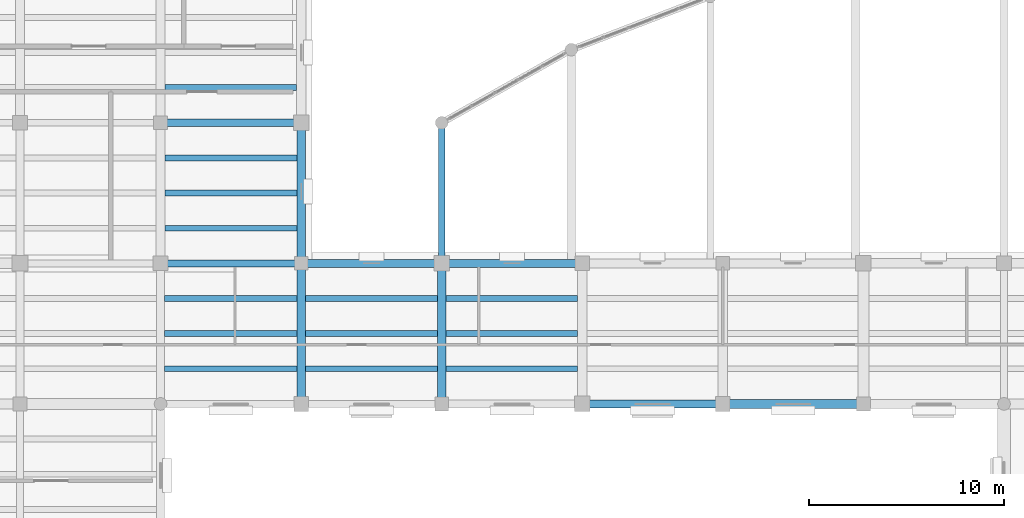
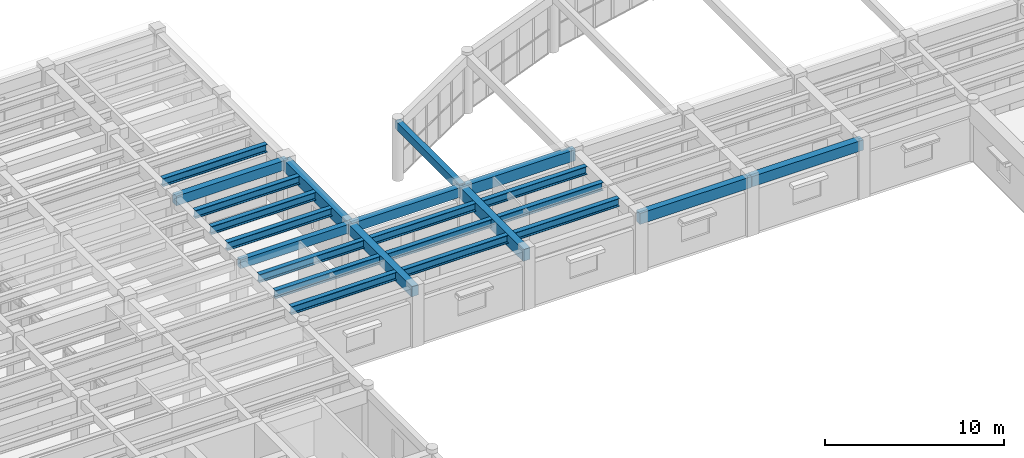
# One storey, part 15 of 76: 22 beams, 1 member.
"""IFC4 building model written with IfcOpenShell, lengths in metres."""

import ifcopenshell
import ifcopenshell.guid

model = None  # the IFC model being written
_history = None  # IfcOwnerHistory: only IFC2X3 demands one
_inside = {}  # id of a spatial element -> (the spatial element, [elements in it])
_under = {}  # id of a project, library or spatial element -> (it, [spatial elements below it])
_declared = {}  # id of a project -> (the project, [libraries it declares])
_typed = {}  # id of a type object -> (the type object, [elements of that type])
_made_of = {}  # id of a material, layer set ... -> (it, [elements and type objects made of it])


def new_model(schema):
    """Start an empty IFC model of exactly this schema.

    Asked for "IFC4X3", IfcOpenShell would pick the latest addendum, in which some entities
    have other attributes; the version numbers below select the first issue.
    IFC2X3 requires an IfcOwnerHistory on every rooted entity: one is made here for all.
    """
    global model, _history
    if schema == "IFC4X3":
        model = ifcopenshell.file(schema_version=(4, 3, 0, 0))
    else:
        model = ifcopenshell.file(schema=schema)
    _inside.clear()
    _under.clear()
    _declared.clear()
    _typed.clear()
    _made_of.clear()
    _history = None
    if model.schema == "IFC2X3":
        org = make("IfcOrganization", Name="unknown")
        user = make(
            "IfcPersonAndOrganization",
            ThePerson=make("IfcPerson", FamilyName="unknown"),
            TheOrganization=org,
        )
        app = make(
            "IfcApplication",
            ApplicationDeveloper=org,
            Version="unknown",
            ApplicationFullName="unknown",
            ApplicationIdentifier="unknown",
        )
        _history = make(
            "IfcOwnerHistory",
            OwningUser=user,
            OwningApplication=app,
            ChangeAction="ADDED",
            CreationDate=0,
        )
    return model


def make(cls, **values):
    """One entity of the class cls with the attributes given. An attribute that is None is left unset."""
    return model.create_entity(
        cls, **{name: value for name, value in values.items() if value is not None}
    )


def rooted(cls, **values):
    """An entity with a GlobalId (a new one), such as an element, a storey or a relation."""
    return make(cls, GlobalId=ifcopenshell.guid.new(), OwnerHistory=_history, **values)


def si_unit(unit_type, name, prefix=None):
    """IfcSIUnit, for example si_unit("LENGTHUNIT", "METRE", prefix="MILLI")."""
    return make("IfcSIUnit", UnitType=unit_type, Prefix=prefix, Name=name)


def assignment(units):
    """IfcUnitAssignment: the units of a project."""
    return None if units is None else make("IfcUnitAssignment", Units=units)


def point(xyz):
    """IfcCartesianPoint."""
    return None if xyz is None else make("IfcCartesianPoint", Coordinates=xyz)


def direction(xyz):
    """IfcDirection."""
    return None if xyz is None else make("IfcDirection", DirectionRatios=xyz)


def frame(location, z_axis=None, x_axis=None):
    """IfcAxis2Placement3D, a coordinate frame: its origin and axes. An axis left out is left unset."""
    return make(
        "IfcAxis2Placement3D",
        Location=point(location),
        Axis=direction(z_axis),
        RefDirection=direction(x_axis),
    )


def frame_2d(location, x_axis=None):
    """IfcAxis2Placement2D, a coordinate frame in the plane: its origin and x axis."""
    return make(
        "IfcAxis2Placement2D", Location=point(location), RefDirection=direction(x_axis)
    )


def origin():
    """The frame at (0, 0, 0) with its axes left unset."""
    return frame((0.0, 0.0, 0.0))


def origin_2d():
    """The frame at (0, 0) in the plane with its x axis left unset."""
    return frame_2d((0.0, 0.0))


def place(relative_to, where):
    """IfcLocalPlacement: puts the frame where relative to a parent placement (None: the world)."""
    return make(
        "IfcLocalPlacement", PlacementRelTo=relative_to, RelativePlacement=where
    )


def context(
    kind, dimensions, precision=None, world=None, true_north=None, identifier=None
):
    """IfcGeometricRepresentationContext, for example the 3D "Model" context."""
    return make(
        "IfcGeometricRepresentationContext",
        ContextIdentifier=identifier,
        ContextType=kind,
        CoordinateSpaceDimension=dimensions,
        Precision=precision,
        WorldCoordinateSystem=world,
        TrueNorth=true_north,
    )


def subcontext(parent, identifier, kind, view, scale=None):
    """IfcGeometricRepresentationSubContext, for example "Body" below "Model"."""
    return make(
        "IfcGeometricRepresentationSubContext",
        ContextIdentifier=identifier,
        ContextType=kind,
        ParentContext=parent,
        TargetScale=scale,
        TargetView=view,
    )


def project(units=None, contexts=None):
    """IfcProject with its units and contexts."""
    return rooted(
        "IfcProject",
        Name="project",
        RepresentationContexts=contexts,
        UnitsInContext=assignment(units),
    )


def spatial(cls, under=None, at=None, **own):
    """A site, building, storey or space (cls), placed at a placement, below another one or the project."""
    s = rooted(cls, ObjectPlacement=at, **own)
    if under is not None:
        _under.setdefault(under.id(), (under, []))[1].append(s)
    return s


def profile(cls, at=None, kind="AREA", **sizes):
    """A parametric profile (cls). Its sizes go by their IFC names, for example OverallWidth=200.0."""
    return make(cls, ProfileType=kind, Position=at, **sizes)


def rectangle(**sizes):
    """IfcRectangleProfileDef."""
    return profile("IfcRectangleProfileDef", **sizes)


def i_section(**sizes):
    """IfcIShapeProfileDef."""
    return profile("IfcIShapeProfileDef", **sizes)


def extrude(swept, where, along, depth):
    """IfcExtrudedAreaSolid: the profile swept, set in the frame where, extruded along a direction by depth."""
    return make(
        "IfcExtrudedAreaSolid",
        SweptArea=swept,
        Position=where,
        ExtrudedDirection=direction(along),
        Depth=depth,
    )


def shape(context_of_items, identifier, shape_type, items):
    """IfcShapeRepresentation: the items that make up one representation, for example the "Body"."""
    return make(
        "IfcShapeRepresentation",
        ContextOfItems=context_of_items,
        RepresentationIdentifier=identifier,
        RepresentationType=shape_type,
        Items=items,
    )


def material(Name=None, Category=None):
    """IfcMaterial."""
    return make("IfcMaterial", Name=Name, Category=Category)


def material_profile(
    of_material, cross_section, Name=None, Category=None, Priority=None
):
    """IfcMaterialProfile: a cross section and its material."""
    return make(
        "IfcMaterialProfile",
        Name=Name,
        Material=of_material,
        Profile=cross_section,
        Priority=Priority,
        Category=Category,
    )


def profile_set(profiles, Name=None, composite=None):
    """IfcMaterialProfileSet."""
    return make(
        "IfcMaterialProfileSet",
        Name=Name,
        MaterialProfiles=profiles,
        CompositeProfile=composite,
    )


def made_of(thing, what):
    """Note that an element or type object is made of a material, layer set ...; save() writes the relation."""
    if what is not None:
        _made_of.setdefault(what.id(), (what, []))[1].append(thing)
    return thing


def type_object(cls, material=None, **own):
    """A type object (cls), such as IfcWallType, which elements share."""
    return made_of(rooted(cls, **own), material)


def element(
    cls,
    number,
    at=None,
    inside=None,
    cuts=None,
    type_object=None,
    material=None,
    context=None,
    identifier="Body",
    shape_type=None,
    held_by="IfcProductDefinitionShape",
    body=None,
    shapes=None,
    **own,
):
    """One element of the class cls, such as IfcWall. Its Tag is "e" and its number.

    at: its placement. inside: the storey or other place that contains it. cuts: it is an
    opening in that element (IfcRelVoidsElement). A single representation is given by context,
    identifier, shape_type and body (its items); several are given by shapes. held_by: the class
    of the entity that holds the representations. save() writes the other relations.
    """
    e = rooted(cls, Tag="e%d" % number, ObjectPlacement=at, **own)
    if body is not None:
        shapes = [shape(context, identifier, shape_type, body)]
    if shapes is not None:
        e.Representation = make(held_by, Representations=shapes)
    if inside is not None:
        _inside.setdefault(inside.id(), (inside, []))[1].append(e)
    if cuts is not None:
        rooted(
            "IfcRelVoidsElement", RelatingBuildingElement=cuts, RelatedOpeningElement=e
        )
    if type_object is not None:
        _typed.setdefault(type_object.id(), (type_object, []))[1].append(e)
    return made_of(e, material)


def aggregate(whole, parts):
    """IfcRelAggregates: a whole, such as a stair, and the parts it consists of."""
    return rooted("IfcRelAggregates", RelatingObject=whole, RelatedObjects=parts)


def save(model, path):
    """Write the relations noted so far, then the file.

    IfcRelAggregates (storeys below a building ...), IfcRelContainedInSpatialStructure (elements
    in a storey), IfcRelDefinesByType, IfcRelAssociatesMaterial and IfcRelDeclares: one each for
    every whole, place, type object, material and project.
    """
    for whole, parts in _under.values():
        aggregate(whole, parts)
    for where, things in _inside.values():
        rooted(
            "IfcRelContainedInSpatialStructure",
            RelatedElements=things,
            RelatingStructure=where,
        )
    for kind, things in _typed.values():
        rooted("IfcRelDefinesByType", RelatedObjects=things, RelatingType=kind)
    for what, things in _made_of.values():
        rooted("IfcRelAssociatesMaterial", RelatedObjects=things, RelatingMaterial=what)
    for by, libraries in _declared.values():
        rooted("IfcRelDeclares", RelatingContext=by, RelatedDefinitions=libraries)
    model.write(path)


model = new_model("IFC4")

# Units and contexts
model_context = context("Model", 3, precision=1e-05, world=origin(), true_north=direction((0.0, 1.0)))
body_context = subcontext(model_context, "Body", "Model", "MODEL_VIEW")
ifc_project = project(units=[si_unit("LENGTHUNIT", "METRE"), si_unit("AREAUNIT", "SQUARE_METRE"), si_unit("VOLUMEUNIT", "CUBIC_METRE"), si_unit("PLANEANGLEUNIT", "RADIAN"), si_unit("MASSUNIT", "GRAM", prefix="KILO")], contexts=[model_context])

# Site, building, storey
site_placement = place(None, origin())
site = spatial("IfcSite", under=ifc_project, at=site_placement, CompositionType="ELEMENT")
building_placement = place(site_placement, origin())
building = spatial("IfcBuilding", under=site, at=building_placement, Name="Mithqara Police Headquarters", CompositionType="ELEMENT")
storey_placement = place(building_placement, frame((0.0, 0.0, 5.39990234375)))
storey = spatial("IfcBuildingStorey", under=building, at=storey_placement, Name="L01", CompositionType="ELEMENT", Elevation=5.39990234375)

# Member
ifc_material_1 = material(Name="Concrete C50/60", Category="concrete")
ifc_material_profile_1 = material_profile(ifc_material_1, rectangle(XDim=0.35009765625, YDim=0.550048828125, at=origin_2d()), Name="ARC 350x550")
ifc_profile_set_1 = profile_set([ifc_material_profile_1], Name="Concrete C50/60")
member_type = type_object("IfcMemberType", Name="ARCH SEG 350X550", PredefinedType="STRUT", material=ifc_profile_set_1)
member_placement = place(storey_placement, frame((43.800048828125, 85.800048828125, 3.72509765625), z_axis=(0.0, 1.0, 0.0), x_axis=(-1.0, 0.0, 0.0)))
element("IfcMember", 1, at=member_placement, inside=storey, type_object=member_type, Name="Forecourt Arcade Transverse Strut 1", PredefinedType="STRUT", context=body_context, shape_type="SweptSolid", body=[
    extrude(rectangle(XDim=0.35009765625, YDim=0.550048828125, at=origin_2d()), origin(), (0.0, 0.0, 1.0), 7.199951171875),
])

# Beams
ifc_material_2 = material(Name="Steel S355JR", Category="steel")
ifc_material_profile_2 = material_profile(ifc_material_2, i_section(OverallWidth=0.300048828125, OverallDepth=0.550048828125, WebThickness=0.014892578125, FlangeThickness=0.029052734375, FilletRadius=0.027099609375, at=origin_2d()), Name="HEB 550")
ifc_profile_set_2 = profile_set([ifc_material_profile_2], Name="Steel S355JR")
beam_type_1 = type_object("IfcBeamType", Name="BEAM HEB550", PredefinedType="BEAM", material=ifc_profile_set_2)
for number, where, z_axis, x_axis, name in (
    (2, (29.60009765625, 80.39990234375, 3.64501953125), (1.0, 0.0, 0.0), (0.0, 1.0, 0.0), "L01 Composite Steel Joist 5-6/M.1"),
    (3, (29.60009765625, 82.199951171875, 3.64501953125), (1.0, 0.0, 0.0), (0.0, 1.0, 0.0), "L01 Composite Steel Joist 5-6/M.2"),
    (4, (29.60009765625, 84.0, 3.64501953125), (1.0, 0.0, 0.0), (0.0, 1.0, 0.0), "L01 Composite Steel Joist 5-6/M.3"),
):
    element("IfcBeam", number, at=place(storey_placement, frame(where, z_axis=z_axis, x_axis=x_axis)), inside=storey, type_object=beam_type_1, Name=name, PredefinedType="BEAM", context=body_context, shape_type="SweptSolid", body=[
        extrude(i_section(OverallWidth=0.300048828125, OverallDepth=0.550048828125, WebThickness=0.014892578125, FlangeThickness=0.029052734375, FilletRadius=0.027099609375, at=origin_2d()), origin(), (0.0, 0.0, 1.0), 6.77490234375),
    ])
for number, where, z_axis, x_axis, name in (
    (5, (29.625, 87.60009765625, 3.64501953125), (1.0, 0.0, 0.0), (0.0, 1.0, 0.0), "L01 Composite Steel Joist 5-6/N.1"),
    (6, (29.625, 89.39990234375, 3.64501953125), (1.0, 0.0, 0.0), (0.0, 1.0, 0.0), "L01 Composite Steel Joist 5-6/N.2"),
    (7, (29.625, 91.199951171875, 3.64501953125), (1.0, 0.0, 0.0), (0.0, 1.0, 0.0), "L01 Composite Steel Joist 5-6/N.3"),
):
    element("IfcBeam", number, at=place(storey_placement, frame(where, z_axis=z_axis, x_axis=x_axis)), inside=storey, type_object=beam_type_1, Name=name, PredefinedType="BEAM", context=body_context, shape_type="SweptSolid", body=[
        extrude(i_section(OverallWidth=0.300048828125, OverallDepth=0.550048828125, WebThickness=0.014892578125, FlangeThickness=0.029052734375, FilletRadius=0.027099609375, at=origin_2d()), origin(), (0.0, 0.0, 1.0), 6.75),
    ])
beam_1_placement = place(storey_placement, frame((29.625, 94.800048828125, 3.64501953125), z_axis=(1.0, 0.0, 0.0), x_axis=(0.0, 1.0, 0.0)))
element("IfcBeam", 8, at=beam_1_placement, inside=storey, type_object=beam_type_1, Name="L01 Composite Steel Joist 5-6/P.1", PredefinedType="BEAM", context=body_context, shape_type="SweptSolid", body=[
    extrude(i_section(OverallWidth=0.300048828125, OverallDepth=0.550048828125, WebThickness=0.014892578125, FlangeThickness=0.029052734375, FilletRadius=0.027099609375, at=origin_2d()), origin(), (0.0, 0.0, 1.0), 6.72509765625),
])
for number, where, z_axis, x_axis, name in (
    (9, (36.824951171875, 80.39990234375, 3.64501953125), (1.0, 0.0, 0.0), (0.0, 1.0, 0.0), "L01 Composite Steel Joist 6-7/M.1"),
    (10, (36.824951171875, 82.199951171875, 3.64501953125), (1.0, 0.0, 0.0), (0.0, 1.0, 0.0), "L01 Composite Steel Joist 6-7/M.2"),
    (11, (36.824951171875, 84.0, 3.64501953125), (1.0, 0.0, 0.0), (0.0, 1.0, 0.0), "L01 Composite Steel Joist 6-7/M.3"),
):
    element("IfcBeam", number, at=place(storey_placement, frame(where, z_axis=z_axis, x_axis=x_axis)), inside=storey, type_object=beam_type_1, Name=name, PredefinedType="BEAM", context=body_context, shape_type="SweptSolid", body=[
        extrude(i_section(OverallWidth=0.300048828125, OverallDepth=0.550048828125, WebThickness=0.014892578125, FlangeThickness=0.029052734375, FilletRadius=0.027099609375, at=origin_2d()), origin(), (0.0, 0.0, 1.0), 6.75),
    ])
for number, where, z_axis, x_axis, name in (
    (12, (44.02490234375, 80.39990234375, 3.64501953125), (1.0, 0.0, 0.0), (0.0, 1.0, 0.0), "L01 Composite Steel Joist 7-8/M.1"),
    (13, (44.02490234375, 82.199951171875, 3.64501953125), (1.0, 0.0, 0.0), (0.0, 1.0, 0.0), "L01 Composite Steel Joist 7-8/M.2"),
    (14, (44.02490234375, 84.0, 3.64501953125), (1.0, 0.0, 0.0), (0.0, 1.0, 0.0), "L01 Composite Steel Joist 7-8/M.3"),
):
    element("IfcBeam", number, at=place(storey_placement, frame(where, z_axis=z_axis, x_axis=x_axis)), inside=storey, type_object=beam_type_1, Name=name, PredefinedType="BEAM", context=body_context, shape_type="SweptSolid", body=[
        extrude(i_section(OverallWidth=0.300048828125, OverallDepth=0.550048828125, WebThickness=0.014892578125, FlangeThickness=0.029052734375, FilletRadius=0.027099609375, at=origin_2d()), origin(), (0.0, 0.0, 1.0), 6.72509765625),
    ])
ifc_material_3 = material(Name="Concrete C40/50", Category="concrete")
ifc_material_profile_3 = material_profile(ifc_material_3, rectangle(XDim=0.35009765625, YDim=0.60009765625, at=origin_2d()), Name="RC 350x600")
ifc_profile_set_3 = profile_set([ifc_material_profile_3], Name="Concrete C40/50")
beam_type_2 = type_object("IfcBeamType", Name="BEAM RC350X600", PredefinedType="BEAM", material=ifc_profile_set_3)
beam_2_placement = place(storey_placement, frame((29.39990234375, 85.800048828125, 3.6201171875), z_axis=(1.0, 0.0, 0.0), x_axis=(0.0, 1.0, 0.0)))
element("IfcBeam", 15, at=beam_2_placement, inside=storey, type_object=beam_type_2, Name="L01 Girder 5-6/N", PredefinedType="BEAM", context=body_context, shape_type="SweptSolid", body=[
    extrude(rectangle(XDim=0.35009765625, YDim=0.60009765625, at=origin_2d()), origin(), (0.0, 0.0, 1.0), 7.2001953125),
])
ifc_material_profile_4 = material_profile(ifc_material_3, rectangle(XDim=0.39990234375, YDim=0.64990234375, at=origin_2d()), Name="RC 400x650")
ifc_profile_set_4 = profile_set([ifc_material_profile_4], Name="Concrete C40/50")
beam_type_3 = type_object("IfcBeamType", Name="BEAM RC400X650", PredefinedType="BEAM", material=ifc_profile_set_4)
beam_3_placement = place(storey_placement, frame((29.39990234375, 93.0, 3.59521484375), z_axis=(1.0, 0.0, 0.0), x_axis=(0.0, 1.0, 0.0)))
element("IfcBeam", 16, at=beam_3_placement, inside=storey, type_object=beam_type_3, Name="L01 Girder 5-6/P", PredefinedType="BEAM", context=body_context, shape_type="SweptSolid", body=[
    extrude(rectangle(XDim=0.39990234375, YDim=0.64990234375, at=origin_2d()), origin(), (0.0, 0.0, 1.0), 7.2001953125),
])
beam_4_placement = place(storey_placement, frame((36.60009765625, 85.800048828125, 3.59521484375), z_axis=(1.0, 0.0, 0.0), x_axis=(0.0, 1.0, 0.0)))
element("IfcBeam", 17, at=beam_4_placement, inside=storey, type_object=beam_type_3, Name="L01 Girder 6-7/N", PredefinedType="BEAM", context=body_context, shape_type="SweptSolid", body=[
    extrude(rectangle(XDim=0.39990234375, YDim=0.64990234375, at=origin_2d()), origin(), (0.0, 0.0, 1.0), 7.199951171875),
])
ifc_material_profile_5 = material_profile(ifc_material_3, rectangle(XDim=0.39990234375, YDim=0.75, at=origin_2d()), Name="RC 400x750")
ifc_profile_set_5 = profile_set([ifc_material_profile_5], Name="Concrete C40/50")
beam_type_4 = type_object("IfcBeamType", Name="BEAM RC400X750", PredefinedType="BEAM", material=ifc_profile_set_5)
for number, where, z_axis, x_axis, name in (
    (18, (43.800048828125, 85.800048828125, 3.545166015625), (1.0, 0.0, 0.0), (0.0, 1.0, 0.0), "L01 Girder 7-8/N"),
    (19, (51.0, 78.60009765625, 3.545166015625), (1.0, 0.0, 0.0), (0.0, 1.0, 0.0), "L01 Girder 8-9/M"),
):
    element("IfcBeam", number, at=place(storey_placement, frame(where, z_axis=z_axis, x_axis=x_axis)), inside=storey, type_object=beam_type_4, Name=name, PredefinedType="BEAM", context=body_context, shape_type="SweptSolid", body=[
        extrude(rectangle(XDim=0.39990234375, YDim=0.75, at=origin_2d()), origin(), (0.0, 0.0, 1.0), 7.199951171875),
    ])
ifc_material_profile_6 = material_profile(ifc_material_3, rectangle(XDim=0.449951171875, YDim=0.699951171875, at=origin_2d()), Name="RC 450x700")
ifc_profile_set_6 = profile_set([ifc_material_profile_6], Name="Concrete C40/50")
beam_type_5 = type_object("IfcBeamType", Name="BEAM RC450X700", PredefinedType="BEAM", material=ifc_profile_set_6)
for number, where, z_axis, x_axis, name in (
    (20, (36.60009765625, 78.60009765625, 3.570068359375), (0.0, 1.0, 0.0), (-1.0, 0.0, 0.0), "L01 Girder 6/M-N"),
    (21, (58.199951171875, 78.60009765625, 3.570068359375), (1.0, 0.0, 0.0), (0.0, 1.0, 0.0), "L01 Girder 9-10/M"),
):
    element("IfcBeam", number, at=place(storey_placement, frame(where, z_axis=z_axis, x_axis=x_axis)), inside=storey, type_object=beam_type_5, Name=name, PredefinedType="BEAM", context=body_context, shape_type="SweptSolid", body=[
        extrude(rectangle(XDim=0.449951171875, YDim=0.699951171875, at=origin_2d()), origin(), (0.0, 0.0, 1.0), 7.199951171875),
    ])
ifc_material_profile_7 = material_profile(ifc_material_3, rectangle(XDim=0.449951171875, YDim=0.800048828125, at=origin_2d()), Name="RC 450x800")
ifc_profile_set_7 = profile_set([ifc_material_profile_7], Name="Concrete C40/50")
beam_type_6 = type_object("IfcBeamType", Name="BEAM RC450X800", PredefinedType="BEAM", material=ifc_profile_set_7)
for number, where, z_axis, x_axis, name in (
    (22, (36.60009765625, 85.800048828125, 3.52001953125), (0.0, 1.0, 0.0), (-1.0, 0.0, 0.0), "L01 Girder 6/N-P"),
    (23, (43.800048828125, 78.60009765625, 3.52001953125), (0.0, 1.0, 0.0), (-1.0, 0.0, 0.0), "L01 Girder 7/M-N"),
):
    element("IfcBeam", number, at=place(storey_placement, frame(where, z_axis=z_axis, x_axis=x_axis)), inside=storey, type_object=beam_type_6, Name=name, PredefinedType="BEAM", context=body_context, shape_type="SweptSolid", body=[
        extrude(rectangle(XDim=0.449951171875, YDim=0.800048828125, at=origin_2d()), origin(), (0.0, 0.0, 1.0), 7.199951171875),
    ])

save(model, "model.ifc")
